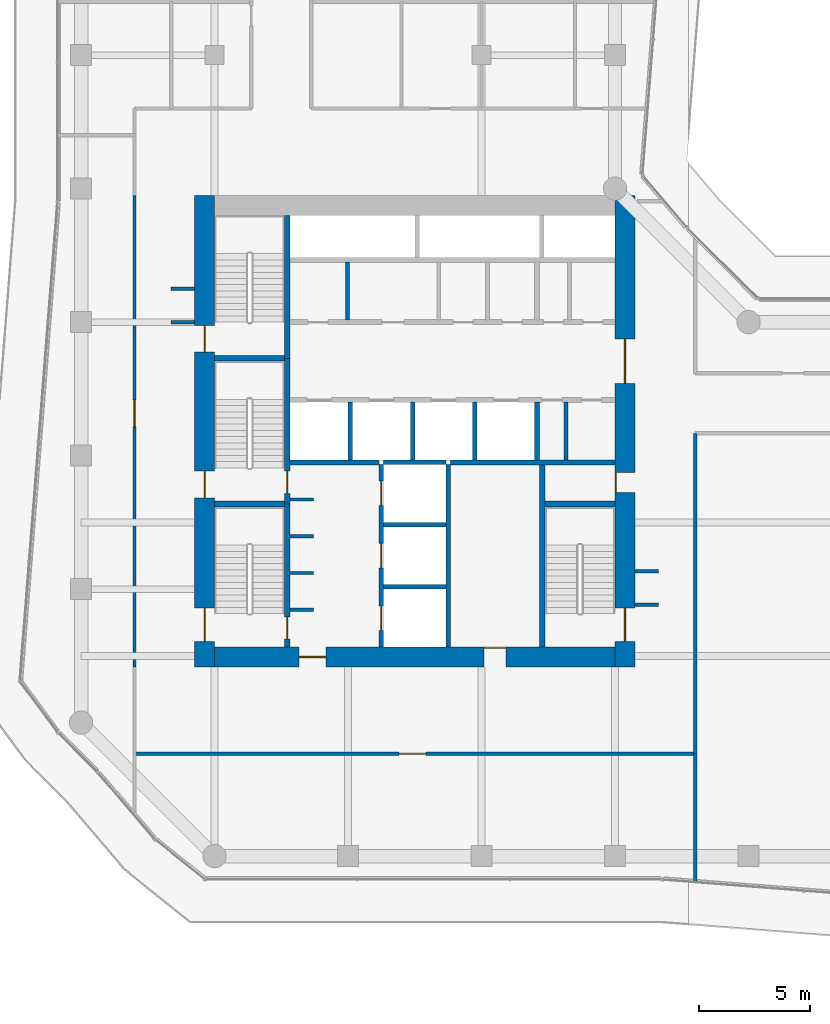
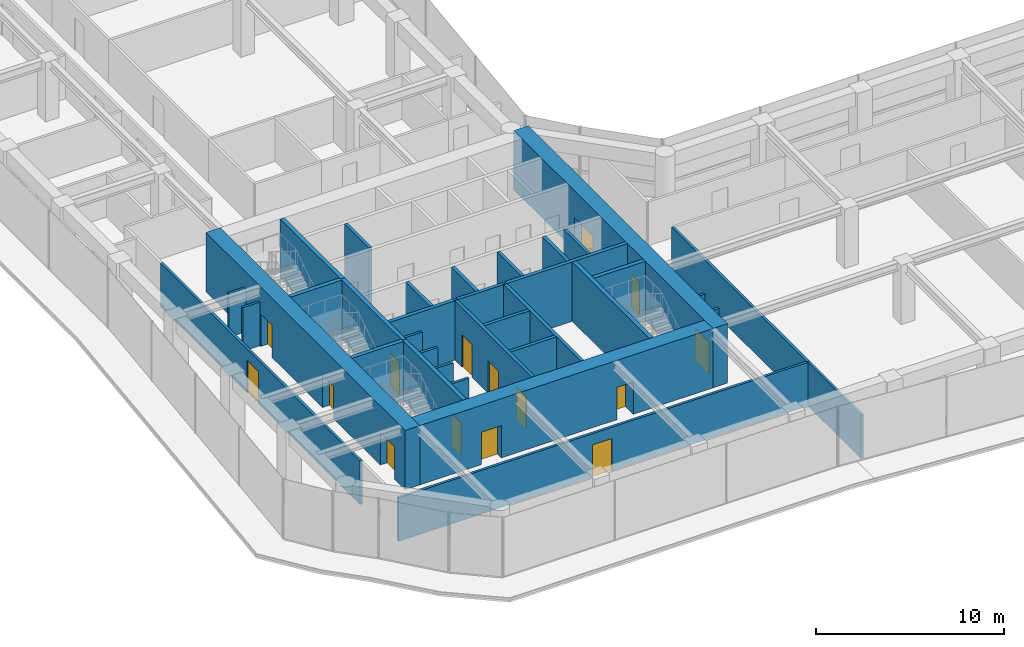
# One storey, part 23 of 29: 35 walls, 15 doors, 15 openings.
"""IFC4 building model written with IfcOpenShell, lengths in metres."""

from ifc_helpers import new_model, si_unit, direction, frame, frame_2d, origin, place, context, subcontext, project, spatial, rectangle, extrude, material, layer, layer_set, type_object, element, fill, save


model = new_model("IFC4")

# Units and contexts
model_context = context("Model", 3, precision=1e-05, world=origin(), true_north=direction((0.0, 1.0)))
body_context = subcontext(model_context, "Body", "Model", "MODEL_VIEW")
ifc_project = project(units=[si_unit("LENGTHUNIT", "METRE"), si_unit("AREAUNIT", "SQUARE_METRE"), si_unit("VOLUMEUNIT", "CUBIC_METRE"), si_unit("PLANEANGLEUNIT", "RADIAN"), si_unit("MASSUNIT", "GRAM", prefix="KILO")], contexts=[model_context])

# Site, building, storey
site_placement = place(None, origin())
site = spatial("IfcSite", under=ifc_project, at=site_placement, CompositionType="ELEMENT")
building_placement = place(site_placement, origin())
building = spatial("IfcBuilding", under=site, at=building_placement, Name="Welwitschia Terrace Campus", CompositionType="ELEMENT")
storey_placement = place(building_placement, frame((0.0, 0.0, 33.199951171875)))
storey = spatial("IfcBuildingStorey", under=building, at=storey_placement, Name="L07", CompositionType="ELEMENT", Elevation=33.199951171875)

# Walls
ifc_material_1 = material(Name="Concrete C32/40", Category="concrete")
ifc_layer_1 = layer(ifc_material_1, 0.175048828125)
ifc_layer_set_1 = layer_set([ifc_layer_1], Name="Concrete C32/40")
wall_type_1 = type_object("IfcWallType", Name="Core partition 175 Concrete C32/40", PredefinedType="PARTITIONING", material=ifc_layer_set_1)
for number, where, z_axis, x_axis, name in (
    (1, (11.97509765625, 20.10009765625, 0.0), (0.0, 0.0, 1.0), (0.0, 1.0, 0.0), "Core partition"),
    (2, (21.7900390625, 13.800048828125, 0.0), (0.0, 0.0, 1.0), (0.0, 1.0, 0.0), "Core partition"),
):
    element("IfcWall", number, at=place(storey_placement, frame(where, z_axis=z_axis, x_axis=x_axis)), inside=storey, type_object=wall_type_1, Name=name, PredefinedType="PARTITIONING", context=body_context, shape_type="SweptSolid", body=[
        extrude(rectangle(XDim=2.599853515625, YDim=0.175048828125, at=frame_2d((1.2998046875, 0.0))), origin(), (0.0, 0.0, 1.0), 3.85009765625),
    ])
ifc_material_2 = material(Name="Concrete C32/40", Category="concrete")
ifc_layer_2 = layer(ifc_material_2, 0.22509765625)
ifc_layer_set_2 = layer_set([ifc_layer_2], Name="Concrete C32/40")
wall_type_2 = type_object("IfcWallType", Name="Core partition 225 Concrete C32/40", PredefinedType="PARTITIONING", material=ifc_layer_set_2)
wall_1_placement = place(storey_placement, frame((9.39990234375, 13.699951171875, 0.0), z_axis=(0.0, 0.0, 1.0), x_axis=(1.0, 0.0, 0.0)))
element("IfcWall", 3, at=wall_1_placement, inside=storey, type_object=wall_type_2, Name="Shaft wall", PredefinedType="PARTITIONING", context=body_context, shape_type="SweptSolid", body=[
    extrude(rectangle(XDim=4.0, YDim=0.22509765625, at=frame_2d((2.0, 0.0))), origin(), (0.0, 0.0, 1.0), 3.85009765625),
])
wall_2_placement = place(storey_placement, frame((16.60009765625, 13.699951171875, 0.0), z_axis=(0.0, 0.0, 1.0), x_axis=(1.0, 0.0, 0.0)))
element("IfcWall", 4, at=wall_2_placement, inside=storey, type_object=wall_type_2, Name="Shaft wall", PredefinedType="PARTITIONING", context=body_context, shape_type="SweptSolid", body=[
    extrude(rectangle(XDim=7.39990234375, YDim=0.22509765625, at=frame_2d((3.699951171875, 0.0))), origin(), (0.0, 0.0, 1.0), 3.85009765625),
])
wall_3_placement = place(storey_placement, frame((20.5, 13.800048828125, 0.0), z_axis=(0.0, 0.0, 1.0), x_axis=(0.0, 1.0, 0.0)))
element("IfcWall", 5, at=wall_3_placement, inside=storey, type_object=wall_type_2, Name="Shaft wall", PredefinedType="PARTITIONING", context=body_context, shape_type="SweptSolid", body=[
    extrude(rectangle(XDim=2.599853515625, YDim=0.22509765625, at=frame_2d((1.2998046875, 0.0))), origin(), (0.0, 0.0, 1.0), 3.85009765625),
])
ifc_material_3 = material(Name="Concrete C50/60", Category="concrete")
ifc_layer_3 = layer(ifc_material_3, 0.14990234375)
ifc_layer_set_3 = layer_set([ifc_layer_3], Name="Concrete C50/60")
wall_type_3 = type_object("IfcWallType", Name="Core wall 150 Concrete C50/60", PredefinedType="SHEAR", material=ifc_layer_set_3)
for number, where, z_axis, x_axis, name in (
    (6, (9.39990234375, 7.074951171875, 0.0), (0.0, 0.0, 1.0), (1.0, 0.0, 0.0), "Core wall"),
    (7, (9.39990234375, 8.72509765625, 0.0), (0.0, 0.0, 1.0), (1.0, 0.0, 0.0), "Core wall"),
    (8, (9.39990234375, 10.375, 0.0), (0.0, 0.0, 1.0), (1.0, 0.0, 0.0), "Core wall"),
    (9, (9.39990234375, 12.02490234375, 0.0), (0.0, 0.0, 1.0), (1.0, 0.0, 0.0), "Core wall"),
):
    element("IfcWall", number, at=place(storey_placement, frame(where, z_axis=z_axis, x_axis=x_axis)), inside=storey, type_object=wall_type_3, Name=name, PredefinedType="SHEAR", context=body_context, shape_type="SweptSolid", body=[
        extrude(rectangle(XDim=1.050048828125, YDim=0.14990234375, at=frame_2d((0.52490234375, 0.0))), origin(), (0.0, 0.0, 1.0), 3.85009765625),
    ])
ifc_material_4 = material(Name="Concrete C50/60", Category="concrete")
ifc_layer_4 = layer(ifc_material_4, 0.199951171875)
ifc_layer_set_4 = layer_set([ifc_layer_4], Name="Concrete C50/60")
wall_type_4 = type_object("IfcWallType", Name="Core wall 200 Concrete C50/60", PredefinedType="SHEAR", material=ifc_layer_set_4)
for number, where, z_axis, x_axis, name in (
    (10, (13.60009765625, 8.10009765625, 0.0), (0.0, 0.0, 1.0), (1.0, 0.0, 0.0), "Core wall"),
    (11, (13.60009765625, 10.89990234375, 0.0), (0.0, 0.0, 1.0), (1.0, 0.0, 0.0), "Core wall"),
    (12, (13.60009765625, 13.699951171875, 0.0), (0.0, 0.0, 1.0), (1.0, 0.0, 0.0), "Core wall"),
):
    element("IfcWall", number, at=place(storey_placement, frame(where, z_axis=z_axis, x_axis=x_axis)), inside=storey, type_object=wall_type_4, Name=name, PredefinedType="SHEAR", context=body_context, shape_type="SweptSolid", body=[
        extrude(rectangle(XDim=2.7998046875, YDim=0.199951171875, at=frame_2d((1.39990234375, 0.0))), origin(), (0.0, 0.0, 1.0), 3.85009765625),
    ])

# Wall, openings, doors
wall_4_placement = place(storey_placement, frame((13.5, 5.39990234375, 0.0), z_axis=(0.0, 0.0, 1.0), x_axis=(0.0, 1.0, 0.0)))
wall_4 = element("IfcWall", 13, at=wall_4_placement, inside=storey, type_object=wall_type_4, Name="Core wall", PredefinedType="SHEAR", context=body_context, shape_type="SweptSolid", body=[
    extrude(rectangle(XDim=8.2001953125, YDim=0.199951171875, at=frame_2d((4.10009765625, 0.0))), origin(), (0.0, 0.0, 1.0), 3.85009765625),
])
opening_1_placement = place(wall_4_placement, frame((0.75, 0.0, 0.0)))
opening_1 = element("IfcOpeningElement", 14, at=opening_1_placement, cuts=wall_4, Name="Opening LD", PredefinedType="OPENING", context=body_context, shape_type="SweptSolid", body=[
    extrude(rectangle(XDim=1.10009765625, YDim=2.10009765625, at=frame_2d((0.550048828125, 1.050048828125))), frame((0.0, 0.10986328125, 0.0), z_axis=(0.0, -1.0, 0.0), x_axis=(1.0, 0.0, 0.0)), (0.0, 0.0, 1.0), 0.219970703125),
])
opening_2_placement = place(wall_4_placement, frame((3.550048828125, 0.0, 0.0)))
opening_2 = element("IfcOpeningElement", 15, at=opening_2_placement, cuts=wall_4, Name="Opening LD", PredefinedType="OPENING", context=body_context, shape_type="SweptSolid", body=[
    extrude(rectangle(XDim=1.10009765625, YDim=2.10009765625, at=frame_2d((0.550048828125, 1.050048828125))), frame((0.0, 0.10986328125, 0.0), z_axis=(0.0, -1.0, 0.0), x_axis=(1.0, 0.0, 0.0)), (0.0, 0.0, 1.0), 0.219970703125),
])
opening_3_placement = place(wall_4_placement, frame((6.35009765625, 0.0, 0.0)))
opening_3 = element("IfcOpeningElement", 16, at=opening_3_placement, cuts=wall_4, Name="Opening LD", PredefinedType="OPENING", context=body_context, shape_type="SweptSolid", body=[
    extrude(rectangle(XDim=1.10009765625, YDim=2.10009765625, at=frame_2d((0.550048828125, 1.050048828125))), frame((0.0, 0.10986328125, 0.0), z_axis=(0.0, -1.0, 0.0), x_axis=(1.0, 0.0, 0.0)), (0.0, 0.0, 1.0), 0.219970703125),
])
ifc_material_5 = material(Name="Stainless steel 304", Category="steel")
door_type_1 = type_object("IfcDoorType", Name="Lift landing door", OperationType="DOUBLE_DOOR_SLIDING", PredefinedType="DOOR", material=ifc_material_5)
door_1_placement = place(opening_1_placement, origin())
door_1 = element("IfcDoor", 17, at=door_1_placement, inside=storey, type_object=door_type_1, Name="Landing door FF1", OperationType="DOUBLE_DOOR_SLIDING", OverallHeight=2.10009765625, OverallWidth=1.10009765625, PredefinedType="DOOR", context=body_context, shape_type="SweptSolid", body=[
    extrude(rectangle(XDim=1.10009765625, YDim=2.10009765625, at=frame_2d((0.550048828125, 1.050048828125))), frame((0.0, 0.02490234375, 0.0), z_axis=(0.0, -1.0, 0.0), x_axis=(1.0, 0.0, 0.0)), (0.0, 0.0, 1.0), 0.050048828125),
])
fill(opening_1, door_1)
door_2_placement = place(opening_2_placement, origin())
door_2 = element("IfcDoor", 18, at=door_2_placement, inside=storey, type_object=door_type_1, Name="Landing door FF2", OperationType="DOUBLE_DOOR_SLIDING", OverallHeight=2.10009765625, OverallWidth=1.10009765625, PredefinedType="DOOR", context=body_context, shape_type="SweptSolid", body=[
    extrude(rectangle(XDim=1.10009765625, YDim=2.10009765625, at=frame_2d((0.550048828125, 1.050048828125))), frame((0.0, 0.02490234375, 0.0), z_axis=(0.0, -1.0, 0.0), x_axis=(1.0, 0.0, 0.0)), (0.0, 0.0, 1.0), 0.050048828125),
])
fill(opening_2, door_2)
door_3_placement = place(opening_3_placement, origin())
door_3 = element("IfcDoor", 19, at=door_3_placement, inside=storey, type_object=door_type_1, Name="Landing door SV1", OperationType="DOUBLE_DOOR_SLIDING", OverallHeight=2.10009765625, OverallWidth=1.10009765625, PredefinedType="DOOR", context=body_context, shape_type="SweptSolid", body=[
    extrude(rectangle(XDim=1.10009765625, YDim=2.10009765625, at=frame_2d((0.550048828125, 1.050048828125))), frame((0.0, 0.02490234375, 0.0), z_axis=(0.0, -1.0, 0.0), x_axis=(1.0, 0.0, 0.0)), (0.0, 0.0, 1.0), 0.050048828125),
])
fill(opening_3, door_3)

# Walls
wall_5_placement = place(storey_placement, frame((16.5, 5.39990234375, 0.0), z_axis=(0.0, 0.0, 1.0), x_axis=(0.0, 1.0, 0.0)))
element("IfcWall", 20, at=wall_5_placement, inside=storey, type_object=wall_type_4, Name="Core wall", PredefinedType="SHEAR", context=body_context, shape_type="SweptSolid", body=[
    extrude(rectangle(XDim=8.2001953125, YDim=0.199951171875, at=frame_2d((4.10009765625, 0.0))), origin(), (0.0, 0.0, 1.0), 3.85009765625),
])
ifc_material_6 = material(Name="Concrete C50/60", Category="concrete")
ifc_layer_5 = layer(ifc_material_6, 0.25)
ifc_layer_set_5 = layer_set([ifc_layer_5], Name="Concrete C50/60")
wall_type_5 = type_object("IfcWallType", Name="Core wall 250 Concrete C50/60", PredefinedType="SHEAR", material=ifc_layer_set_5)
for number, where, z_axis, x_axis, name in (
    (21, (6.0, 11.824951171875, 0.0), (0.0, 0.0, 1.0), (1.0, 0.0, 0.0), "Core wall"),
    (22, (20.85009765625, 11.824951171875, 0.0), (0.0, 0.0, 1.0), (1.0, 0.0, 0.0), "Core wall"),
    (23, (6.0, 18.375, 0.0), (0.0, 0.0, 1.0), (1.0, 0.0, 0.0), "Core wall"),
):
    element("IfcWall", number, at=place(storey_placement, frame(where, z_axis=z_axis, x_axis=x_axis)), inside=storey, type_object=wall_type_5, Name=name, PredefinedType="SHEAR", context=body_context, shape_type="SweptSolid", body=[
        extrude(rectangle(XDim=3.14990234375, YDim=0.25, at=frame_2d((1.574951171875, 0.0))), origin(), (0.0, 0.0, 1.0), 3.85009765625),
    ])

# Wall, opening, door
wall_6_placement = place(storey_placement, frame((9.27490234375, 11.824951171875, 0.0), z_axis=(0.0, 0.0, 1.0), x_axis=(0.0, -1.0, 0.0)))
wall_6 = element("IfcWall", 24, at=wall_6_placement, inside=storey, type_object=wall_type_5, Name="Core wall", PredefinedType="SHEAR", context=body_context, shape_type="SweptSolid", body=[
    extrude(rectangle(XDim=6.425048828125, YDim=0.25, at=frame_2d((3.21240234375, 0.0))), origin(), (0.0, 0.0, 1.0), 3.85009765625),
])
opening_4_placement = place(wall_6_placement, frame((5.074951171875, 0.0, 0.0)))
opening_4 = element("IfcOpeningElement", 25, at=opening_4_placement, cuts=wall_6, Name="Opening DS10", PredefinedType="OPENING", context=body_context, shape_type="SweptSolid", body=[
    extrude(rectangle(XDim=1.0, YDim=2.10009765625, at=frame_2d((0.5, 1.050048828125))), frame((0.0, 0.135009765625, 0.0), z_axis=(0.0, -1.0, 0.0), x_axis=(1.0, 0.0, 0.0)), (0.0, 0.0, 1.0), 0.27001953125),
])
ifc_material_7 = material(Name="Steel S275", Category="steel")
door_type_2 = type_object("IfcDoorType", Name="Core door DS10", OperationType="SINGLE_SWING_LEFT", PredefinedType="DOOR", material=ifc_material_7)
door_4_placement = place(opening_4_placement, origin())
door_4 = element("IfcDoor", 26, at=door_4_placement, inside=storey, type_object=door_type_2, Name="Door S1-FL", OperationType="SINGLE_SWING_RIGHT", OverallHeight=2.10009765625, OverallWidth=1.0, PredefinedType="DOOR", context=body_context, shape_type="SweptSolid", body=[
    extrude(rectangle(XDim=1.0, YDim=2.10009765625, at=frame_2d((0.5, 1.050048828125))), frame((0.0, 0.02490234375, 0.0), z_axis=(0.0, -1.0, 0.0), x_axis=(1.0, 0.0, 0.0)), (0.0, 0.0, 1.0), 0.050048828125),
])
fill(opening_4, door_4)

wall_7_placement = place(storey_placement, frame((9.27490234375, 18.375, 0.0), z_axis=(0.0, 0.0, 1.0), x_axis=(0.0, -1.0, 0.0)))
wall_7 = element("IfcWall", 27, at=wall_7_placement, inside=storey, type_object=wall_type_5, Name="Core wall", PredefinedType="SHEAR", context=body_context, shape_type="SweptSolid", body=[
    extrude(rectangle(XDim=6.550048828125, YDim=0.25, at=frame_2d((3.27490234375, 0.0))), origin(), (0.0, 0.0, 1.0), 3.85009765625),
])
opening_5_placement = place(wall_7_placement, frame((5.074951171875, 0.0, 0.0)))
opening_5 = element("IfcOpeningElement", 28, at=opening_5_placement, cuts=wall_7, Name="Opening DS10", PredefinedType="OPENING", context=body_context, shape_type="SweptSolid", body=[
    extrude(rectangle(XDim=1.0, YDim=2.10009765625, at=frame_2d((0.5, 1.050048828125))), frame((0.0, 0.135009765625, 0.0), z_axis=(0.0, -1.0, 0.0), x_axis=(1.0, 0.0, 0.0)), (0.0, 0.0, 1.0), 0.27001953125),
])
door_5_placement = place(opening_5_placement, origin())
door_5 = element("IfcDoor", 29, at=door_5_placement, inside=storey, type_object=door_type_2, Name="Door S3-FL", OperationType="SINGLE_SWING_RIGHT", OverallHeight=2.10009765625, OverallWidth=1.0, PredefinedType="DOOR", context=body_context, shape_type="SweptSolid", body=[
    extrude(rectangle(XDim=1.0, YDim=2.10009765625, at=frame_2d((0.5, 1.050048828125))), frame((0.0, 0.02490234375, 0.0), z_axis=(0.0, -1.0, 0.0), x_axis=(1.0, 0.0, 0.0)), (0.0, 0.0, 1.0), 0.050048828125),
])
fill(opening_5, door_5)

# Walls
wall_8_placement = place(storey_placement, frame((9.27490234375, 18.375, 0.0), z_axis=(0.0, 0.0, 1.0), x_axis=(0.0, 1.0, 0.0)))
element("IfcWall", 30, at=wall_8_placement, inside=storey, type_object=wall_type_5, Name="Core wall", PredefinedType="SHEAR", context=body_context, shape_type="SweptSolid", body=[
    extrude(rectangle(XDim=6.425048828125, YDim=0.25, at=frame_2d((3.21240234375, 0.0))), origin(), (0.0, 0.0, 1.0), 3.85009765625),
])
wall_9_placement = place(storey_placement, frame((20.72509765625, 5.39990234375, 0.0), z_axis=(0.0, 0.0, 1.0), x_axis=(0.0, 1.0, 0.0)))
element("IfcWall", 31, at=wall_9_placement, inside=storey, type_object=wall_type_5, Name="Core wall", PredefinedType="SHEAR", context=body_context, shape_type="SweptSolid", body=[
    extrude(rectangle(XDim=8.2001953125, YDim=0.25, at=frame_2d((4.10009765625, 0.0))), origin(), (0.0, 0.0, 1.0), 3.85009765625),
])

# Wall, openings, doors
ifc_material_8 = material(Name="Concrete C70/85", Category="concrete")
ifc_layer_6 = layer(ifc_material_8, 0.89990234375)
ifc_layer_set_6 = layer_set([ifc_layer_6], Name="Concrete C70/85")
wall_type_6 = type_object("IfcWallType", Name="Core wall 900 Concrete C70/85", PredefinedType="SHEAR", material=ifc_layer_set_6)
wall_10_placement = place(storey_placement, frame((5.550048828125, 4.5, 0.0), z_axis=(0.0, 0.0, 1.0), x_axis=(0.0, 1.0, 0.0)))
wall_10 = element("IfcWall", 32, at=wall_10_placement, inside=storey, type_object=wall_type_6, Name="Core outer wall", PredefinedType="SHEAR", context=body_context, shape_type="SweptSolid", body=[
    extrude(rectangle(XDim=21.199951171875, YDim=0.89990234375, at=frame_2d((10.60009765625, 0.0))), origin(), (0.0, 0.0, 1.0), 3.85009765625),
])
opening_6_placement = place(wall_10_placement, frame((1.14990234375, 0.0, 0.0)))
opening_6 = element("IfcOpeningElement", 33, at=opening_6_placement, cuts=wall_10, Name="Opening DS15", PredefinedType="OPENING", context=body_context, shape_type="SweptSolid", body=[
    extrude(rectangle(XDim=1.5, YDim=2.10009765625, at=frame_2d((0.75, 1.050048828125))), frame((0.0, 0.4599609375, 0.0), z_axis=(0.0, -1.0, 0.0), x_axis=(1.0, 0.0, 0.0)), (0.0, 0.0, 1.0), 0.919921875),
])
opening_7_placement = place(wall_10_placement, frame((7.60009765625, 0.0, 0.0)))
opening_7 = element("IfcOpeningElement", 34, at=opening_7_placement, cuts=wall_10, Name="Opening DS12", PredefinedType="OPENING", context=body_context, shape_type="SweptSolid", body=[
    extrude(rectangle(XDim=1.199951171875, YDim=2.10009765625, at=frame_2d((0.60009765625, 1.050048828125))), frame((0.0, 0.4599609375, 0.0), z_axis=(0.0, -1.0, 0.0), x_axis=(1.0, 0.0, 0.0)), (0.0, 0.0, 1.0), 0.919921875),
])
opening_8_placement = place(wall_10_placement, frame((14.14990234375, 0.0, 0.0)))
opening_8 = element("IfcOpeningElement", 35, at=opening_8_placement, cuts=wall_10, Name="Opening DS12", PredefinedType="OPENING", context=body_context, shape_type="SweptSolid", body=[
    extrude(rectangle(XDim=1.199951171875, YDim=2.10009765625, at=frame_2d((0.60009765625, 1.050048828125))), frame((0.0, 0.4599609375, 0.0), z_axis=(0.0, -1.0, 0.0), x_axis=(1.0, 0.0, 0.0)), (0.0, 0.0, 1.0), 0.919921875),
])
ifc_material_9 = material(Name="Steel S275", Category="steel")
door_type_3 = type_object("IfcDoorType", Name="Core door DS12", OperationType="SINGLE_SWING_LEFT", PredefinedType="DOOR", material=ifc_material_9)
door_6_placement = place(opening_7_placement, origin())
door_6 = element("IfcDoor", 36, at=door_6_placement, inside=storey, type_object=door_type_3, Name="Door S3-out", OperationType="SINGLE_SWING_LEFT", OverallHeight=2.10009765625, OverallWidth=1.199951171875, PredefinedType="DOOR", context=body_context, shape_type="SweptSolid", body=[
    extrude(rectangle(XDim=1.199951171875, YDim=2.10009765625, at=frame_2d((0.60009765625, 1.050048828125))), frame((0.0, 0.02490234375, 0.0), z_axis=(0.0, -1.0, 0.0), x_axis=(1.0, 0.0, 0.0)), (0.0, 0.0, 1.0), 0.050048828125),
])
fill(opening_7, door_6)
door_7_placement = place(opening_8_placement, origin())
door_7 = element("IfcDoor", 37, at=door_7_placement, inside=storey, type_object=door_type_3, Name="Door S4-out", OperationType="SINGLE_SWING_RIGHT", OverallHeight=2.10009765625, OverallWidth=1.199951171875, PredefinedType="DOOR", context=body_context, shape_type="SweptSolid", body=[
    extrude(rectangle(XDim=1.199951171875, YDim=2.10009765625, at=frame_2d((0.60009765625, 1.050048828125))), frame((0.0, 0.02490234375, 0.0), z_axis=(0.0, -1.0, 0.0), x_axis=(1.0, 0.0, 0.0)), (0.0, 0.0, 1.0), 0.050048828125),
])
fill(opening_8, door_7)
ifc_material_10 = material(Name="Steel S275", Category="steel")
door_type_4 = type_object("IfcDoorType", Name="Core door DS15", OperationType="DOUBLE_DOOR_SINGLE_SWING", PredefinedType="DOOR", material=ifc_material_10)
door_8_placement = place(opening_6_placement, origin())
door_8 = element("IfcDoor", 38, at=door_8_placement, inside=storey, type_object=door_type_4, Name="Door S1-out", OperationType="DOUBLE_DOOR_SINGLE_SWING", OverallHeight=2.10009765625, OverallWidth=1.5, PredefinedType="DOOR", context=body_context, shape_type="SweptSolid", body=[
    extrude(rectangle(XDim=1.5, YDim=2.10009765625, at=frame_2d((0.75, 1.050048828125))), frame((0.0, 0.02490234375, 0.0), z_axis=(0.0, -1.0, 0.0), x_axis=(1.0, 0.0, 0.0)), (0.0, 0.0, 1.0), 0.050048828125),
])
fill(opening_6, door_8)

wall_11_placement = place(storey_placement, frame((24.449951171875, 25.699951171875, 0.0), z_axis=(0.0, 0.0, 1.0), x_axis=(0.0, -1.0, 0.0)))
wall_11 = element("IfcWall", 39, at=wall_11_placement, inside=storey, type_object=wall_type_6, Name="Core outer wall", PredefinedType="SHEAR", context=body_context, shape_type="SweptSolid", body=[
    extrude(rectangle(XDim=21.199951171875, YDim=0.89990234375, at=frame_2d((10.60009765625, 0.0))), origin(), (0.0, 0.0, 1.0), 3.85009765625),
])
opening_9_placement = place(wall_11_placement, frame((18.550048828125, 0.0, 0.0)))
opening_9 = element("IfcOpeningElement", 40, at=opening_9_placement, cuts=wall_11, Name="Opening DS15", PredefinedType="OPENING", context=body_context, shape_type="SweptSolid", body=[
    extrude(rectangle(XDim=1.5, YDim=2.10009765625, at=frame_2d((0.75, 1.050048828125))), frame((0.0, 0.4599609375, 0.0), z_axis=(0.0, -1.0, 0.0), x_axis=(1.0, 0.0, 0.0)), (0.0, 0.0, 1.0), 0.919921875),
])
opening_10_placement = place(wall_11_placement, frame((12.449951171875, 0.0, 0.0)))
opening_10 = element("IfcOpeningElement", 41, at=opening_10_placement, cuts=wall_11, Name="Opening DR09", PredefinedType="OPENING", context=body_context, shape_type="SweptSolid", body=[
    extrude(rectangle(XDim=0.89990234375, YDim=2.10009765625, at=frame_2d((0.449951171875, 1.050048828125))), frame((0.0, 0.4599609375, 0.0), z_axis=(0.0, -1.0, 0.0), x_axis=(1.0, 0.0, 0.0)), (0.0, 0.0, 1.0), 0.919921875),
])
opening_11_placement = place(wall_11_placement, frame((6.449951171875, 0.0, 0.0)))
opening_11 = element("IfcOpeningElement", 42, at=opening_11_placement, cuts=wall_11, Name="Opening DL20", PredefinedType="OPENING", context=body_context, shape_type="SweptSolid", body=[
    extrude(rectangle(XDim=2.0, YDim=2.10009765625, at=frame_2d((1.0, 1.050048828125))), frame((0.0, 0.4599609375, 0.0), z_axis=(0.0, -1.0, 0.0), x_axis=(1.0, 0.0, 0.0)), (0.0, 0.0, 1.0), 0.919921875),
])
ifc_material_11 = material(Name="Steel S275", Category="steel")
door_type_5 = type_object("IfcDoorType", Name="Core door DL20", OperationType="DOUBLE_DOOR_SINGLE_SWING", PredefinedType="DOOR", material=ifc_material_11)
door_9_placement = place(opening_11_placement, origin())
door_9 = element("IfcDoor", 43, at=door_9_placement, inside=storey, type_object=door_type_5, Name="Door LOBBY-out", OperationType="DOUBLE_DOOR_SINGLE_SWING", OverallHeight=2.10009765625, OverallWidth=2.0, PredefinedType="DOOR", context=body_context, shape_type="SweptSolid", body=[
    extrude(rectangle(XDim=2.0, YDim=2.10009765625, at=frame_2d((1.0, 1.050048828125))), frame((0.0, 0.02490234375, 0.0), z_axis=(0.0, -1.0, 0.0), x_axis=(1.0, 0.0, 0.0)), (0.0, 0.0, 1.0), 0.050048828125),
])
fill(opening_11, door_9)
ifc_material_12 = material(Name="Steel S275", Category="steel")
door_type_6 = type_object("IfcDoorType", Name="Core door DR09", OperationType="SINGLE_SWING_LEFT", PredefinedType="DOOR", material=ifc_material_12)
door_10_placement = place(opening_10_placement, origin())
door_10 = element("IfcDoor", 44, at=door_10_placement, inside=storey, type_object=door_type_6, Name="Door F1B-out", OperationType="SINGLE_SWING_RIGHT", OverallHeight=2.10009765625, OverallWidth=0.89990234375, PredefinedType="DOOR", context=body_context, shape_type="SweptSolid", body=[
    extrude(rectangle(XDim=0.89990234375, YDim=2.10009765625, at=frame_2d((0.449951171875, 1.050048828125))), frame((0.0, -0.39013671875, 0.0), z_axis=(0.0, -1.0, 0.0), x_axis=(1.0, 0.0, 0.0)), (0.0, 0.0, 1.0), 0.050048828125),
])
fill(opening_10, door_10)
door_11_placement = place(opening_9_placement, origin())
door_11 = element("IfcDoor", 45, at=door_11_placement, inside=storey, type_object=door_type_4, Name="Door S2-out", OperationType="DOUBLE_DOOR_SINGLE_SWING", OverallHeight=2.10009765625, OverallWidth=1.5, PredefinedType="DOOR", context=body_context, shape_type="SweptSolid", body=[
    extrude(rectangle(XDim=1.5, YDim=2.10009765625, at=frame_2d((0.75, 1.050048828125))), frame((0.0, 0.02490234375, 0.0), z_axis=(0.0, -1.0, 0.0), x_axis=(1.0, 0.0, 0.0)), (0.0, 0.0, 1.0), 0.050048828125),
])
fill(opening_9, door_11)

wall_12_placement = place(storey_placement, frame((24.0, 4.949951171875, 0.0), z_axis=(0.0, 0.0, 1.0), x_axis=(-1.0, 0.0, 0.0)))
wall_12 = element("IfcWall", 46, at=wall_12_placement, inside=storey, type_object=wall_type_6, Name="Core outer wall", PredefinedType="SHEAR", context=body_context, shape_type="SweptSolid", body=[
    extrude(rectangle(XDim=18.0, YDim=0.89990234375, at=frame_2d((9.0, 0.0))), origin(), (0.0, 0.0, 1.0), 3.85009765625),
])
opening_12_placement = place(wall_12_placement, frame((13.0, 0.0, 0.0)))
opening_12 = element("IfcOpeningElement", 47, at=opening_12_placement, cuts=wall_12, Name="Opening DF12", PredefinedType="OPENING", context=body_context, shape_type="SweptSolid", body=[
    extrude(rectangle(XDim=1.199951171875, YDim=2.10009765625, at=frame_2d((0.60009765625, 1.050048828125))), frame((0.0, 0.4599609375, 0.0), z_axis=(0.0, -1.0, 0.0), x_axis=(1.0, 0.0, 0.0)), (0.0, 0.0, 1.0), 0.919921875),
])
opening_13_placement = place(wall_12_placement, frame((4.89990234375, 0.0, 0.0)))
opening_13 = element("IfcOpeningElement", 48, at=opening_13_placement, cuts=wall_12, Name="Opening DR10", PredefinedType="OPENING", context=body_context, shape_type="SweptSolid", body=[
    extrude(rectangle(XDim=1.0, YDim=2.10009765625, at=frame_2d((0.5, 1.050048828125))), frame((0.0, 0.4599609375, 0.0), z_axis=(0.0, -1.0, 0.0), x_axis=(1.0, 0.0, 0.0)), (0.0, 0.0, 1.0), 0.919921875),
])
ifc_material_13 = material(Name="Steel S275", Category="steel")
door_type_7 = type_object("IfcDoorType", Name="Core door DF12", OperationType="SINGLE_SWING_LEFT", PredefinedType="DOOR", material=ifc_material_13)
door_12_placement = place(opening_12_placement, origin())
door_12 = element("IfcDoor", 49, at=door_12_placement, inside=storey, type_object=door_type_7, Name="Door FL-out", OperationType="SINGLE_SWING_RIGHT", OverallHeight=2.10009765625, OverallWidth=1.199951171875, PredefinedType="DOOR", context=body_context, shape_type="SweptSolid", body=[
    extrude(rectangle(XDim=1.199951171875, YDim=2.10009765625, at=frame_2d((0.60009765625, 1.050048828125))), frame((0.0, 0.02490234375, 0.0), z_axis=(0.0, -1.0, 0.0), x_axis=(1.0, 0.0, 0.0)), (0.0, 0.0, 1.0), 0.050048828125),
])
fill(opening_12, door_12)
ifc_material_14 = material(Name="Steel S275", Category="steel")
door_type_8 = type_object("IfcDoorType", Name="Core door DR10", OperationType="SINGLE_SWING_LEFT", PredefinedType="DOOR", material=ifc_material_14)
door_13_placement = place(opening_13_placement, origin())
door_13 = element("IfcDoor", 50, at=door_13_placement, inside=storey, type_object=door_type_8, Name="Door F1-out", OperationType="SINGLE_SWING_LEFT", OverallHeight=2.10009765625, OverallWidth=1.0, PredefinedType="DOOR", context=body_context, shape_type="SweptSolid", body=[
    extrude(rectangle(XDim=1.0, YDim=2.10009765625, at=frame_2d((0.5, 1.050048828125))), frame((0.0, -0.39013671875, 0.0), z_axis=(0.0, -1.0, 0.0), x_axis=(1.0, 0.0, 0.0)), (0.0, 0.0, 1.0), 0.050048828125),
])
fill(opening_13, door_13)

# Wall, opening, door
ifc_material_15 = material(Name="Gypsum board on steel studs", Category="steel")
ifc_layer_7 = layer(ifc_material_15, 0.14990234375)
ifc_layer_set_7 = layer_set([ifc_layer_7], Name="Gypsum board on steel studs")
wall_type_7 = type_object("IfcWallType", Name="Corridor partition 150 EI 30", PredefinedType="PARTITIONING", material=ifc_layer_set_7)
wall_13_placement = place(storey_placement, frame((2.39990234375, 4.5, 0.0), z_axis=(0.0, 0.0, 1.0), x_axis=(0.0, 1.0, 0.0)))
wall_13 = element("IfcWall", 51, at=wall_13_placement, inside=storey, type_object=wall_type_7, Name="Partition", PredefinedType="PARTITIONING", context=body_context, shape_type="SweptSolid", body=[
    extrude(rectangle(XDim=21.199951171875, YDim=0.14990234375, at=frame_2d((10.60009765625, 0.0))), origin(), (0.0, 0.0, 1.0), 2.830078125),
])
opening_14_placement = place(wall_13_placement, frame((10.800048828125, 0.0, 0.0)))
opening_14 = element("IfcOpeningElement", 52, at=opening_14_placement, cuts=wall_13, Name="Opening DI12", PredefinedType="OPENING", context=body_context, shape_type="SweptSolid", body=[
    extrude(rectangle(XDim=1.199951171875, YDim=2.10009765625, at=frame_2d((0.60009765625, 1.050048828125))), frame((0.0, 0.0849609375, 0.0), z_axis=(0.0, -1.0, 0.0), x_axis=(1.0, 0.0, 0.0)), (0.0, 0.0, 1.0), 0.169921875),
])
ifc_material_16 = material(Name="Timber veneered door", Category="wood")
door_type_9 = type_object("IfcDoorType", Name="Interior door DI12", OperationType="NOTDEFINED", PredefinedType="DOOR", material=ifc_material_16)
door_14_placement = place(opening_14_placement, origin())
door_14 = element("IfcDoor", 53, at=door_14_placement, inside=storey, type_object=door_type_9, Name="Door L07 168", OperationType="SINGLE_SWING_LEFT", OverallHeight=2.10009765625, OverallWidth=1.199951171875, PredefinedType="DOOR", context=body_context, shape_type="SweptSolid", body=[
    extrude(rectangle(XDim=1.199951171875, YDim=2.10009765625, at=frame_2d((0.60009765625, 1.050048828125))), frame((0.0, 0.02490234375, 0.0), z_axis=(0.0, -1.0, 0.0), x_axis=(1.0, 0.0, 0.0)), (0.0, 0.0, 1.0), 0.050048828125),
])
fill(opening_14, door_14)

# Walls
for number, where, z_axis, x_axis, name in (
    (54, (4.050048828125, 20.0, 0.0), (0.0, 0.0, 1.0), (1.0, 0.0, 0.0), "Partition"),
    (55, (4.050048828125, 21.5, 0.0), (0.0, 0.0, 1.0), (1.0, 0.0, 0.0), "Partition"),
    (56, (24.89990234375, 7.300048828125, 0.0), (0.0, 0.0, 1.0), (1.0, 0.0, 0.0), "Partition"),
    (57, (24.89990234375, 8.800048828125, 0.0), (0.0, 0.0, 1.0), (1.0, 0.0, 0.0), "Partition"),
):
    element("IfcWall", number, at=place(storey_placement, frame(where, z_axis=z_axis, x_axis=x_axis)), inside=storey, type_object=wall_type_7, Name=name, PredefinedType="PARTITIONING", context=body_context, shape_type="SweptSolid", body=[
        extrude(rectangle(XDim=1.050048828125, YDim=0.14990234375, at=frame_2d((0.52490234375, 0.0))), origin(), (0.0, 0.0, 1.0), 2.830078125),
    ])
wall_14_placement = place(storey_placement, frame((27.60009765625, -5.1201171875, 0.0), z_axis=(0.0, 0.0, 1.0), x_axis=(0.0, 1.0, 0.0)))
element("IfcWall", 58, at=wall_14_placement, inside=storey, type_object=wall_type_7, Name="Partition", PredefinedType="PARTITIONING", context=body_context, shape_type="SweptSolid", body=[
    extrude(rectangle(XDim=5.72021484375, YDim=0.14990234375, at=frame_2d((2.860107421875, 0.0))), origin(), (0.0, 0.0, 1.0), 2.830078125),
])

# Wall, opening, door
wall_15_placement = place(storey_placement, frame((27.60009765625, 0.60009765625, 0.0), z_axis=(0.0, 0.0, 1.0), x_axis=(-1.0, 0.0, 0.0)))
wall_15 = element("IfcWall", 59, at=wall_15_placement, inside=storey, type_object=wall_type_7, Name="Partition", PredefinedType="PARTITIONING", context=body_context, shape_type="SweptSolid", body=[
    extrude(rectangle(XDim=25.2001953125, YDim=0.14990234375, at=frame_2d((12.60009765625, 0.0))), origin(), (0.0, 0.0, 1.0), 2.830078125),
])
opening_15_placement = place(wall_15_placement, frame((12.10009765625, 0.0, 0.0)))
opening_15 = element("IfcOpeningElement", 60, at=opening_15_placement, cuts=wall_15, Name="Opening DI12", PredefinedType="OPENING", context=body_context, shape_type="SweptSolid", body=[
    extrude(rectangle(XDim=1.199951171875, YDim=2.10009765625, at=frame_2d((0.60009765625, 1.050048828125))), frame((0.0, 0.0849609375, 0.0), z_axis=(0.0, -1.0, 0.0), x_axis=(1.0, 0.0, 0.0)), (0.0, 0.0, 1.0), 0.169921875),
])
door_15_placement = place(opening_15_placement, origin())
door_15 = element("IfcDoor", 61, at=door_15_placement, inside=storey, type_object=door_type_9, Name="Door L07 179", OperationType="SINGLE_SWING_RIGHT", OverallHeight=2.10009765625, OverallWidth=1.199951171875, PredefinedType="DOOR", context=body_context, shape_type="SweptSolid", body=[
    extrude(rectangle(XDim=1.199951171875, YDim=2.10009765625, at=frame_2d((0.60009765625, 1.050048828125))), frame((0.0, 0.02490234375, 0.0), z_axis=(0.0, -1.0, 0.0), x_axis=(1.0, 0.0, 0.0)), (0.0, 0.0, 1.0), 0.050048828125),
])
fill(opening_15, door_15)

# Walls
wall_16_placement = place(storey_placement, frame((27.60009765625, 0.60009765625, 0.0), z_axis=(0.0, 0.0, 1.0), x_axis=(0.0, 1.0, 0.0)))
element("IfcWall", 62, at=wall_16_placement, inside=storey, type_object=wall_type_7, Name="Partition", PredefinedType="PARTITIONING", context=body_context, shape_type="SweptSolid", body=[
    extrude(rectangle(XDim=14.39990234375, YDim=0.14990234375, at=frame_2d((7.199951171875, 0.0))), origin(), (0.0, 0.0, 1.0), 2.830078125),
])
ifc_material_17 = material(Name="Concrete C32/40", Category="concrete")
ifc_layer_8 = layer(ifc_material_17, 0.199951171875)
ifc_layer_set_8 = layer_set([ifc_layer_8], Name="Concrete C32/40")
wall_type_8 = type_object("IfcWallType", Name="Shaft wall 200 Concrete C32/40", PredefinedType="SOLIDWALL", material=ifc_layer_set_8)
for number, where, z_axis, x_axis, name in (
    (63, (12.10009765625, 13.800048828125, 0.0), (0.0, 0.0, 1.0), (0.0, 1.0, 0.0), "Shaft wall"),
    (64, (14.89990234375, 13.800048828125, 0.0), (0.0, 0.0, 1.0), (0.0, 1.0, 0.0), "Shaft wall"),
    (65, (17.699951171875, 13.800048828125, 0.0), (0.0, 0.0, 1.0), (0.0, 1.0, 0.0), "Shaft wall"),
):
    element("IfcWall", number, at=place(storey_placement, frame(where, z_axis=z_axis, x_axis=x_axis)), inside=storey, type_object=wall_type_8, Name=name, PredefinedType="SOLIDWALL", context=body_context, shape_type="SweptSolid", body=[
        extrude(rectangle(XDim=2.599853515625, YDim=0.199951171875, at=frame_2d((1.2998046875, 0.0))), origin(), (0.0, 0.0, 1.0), 3.85009765625),
    ])

save(model, "model.ifc")
